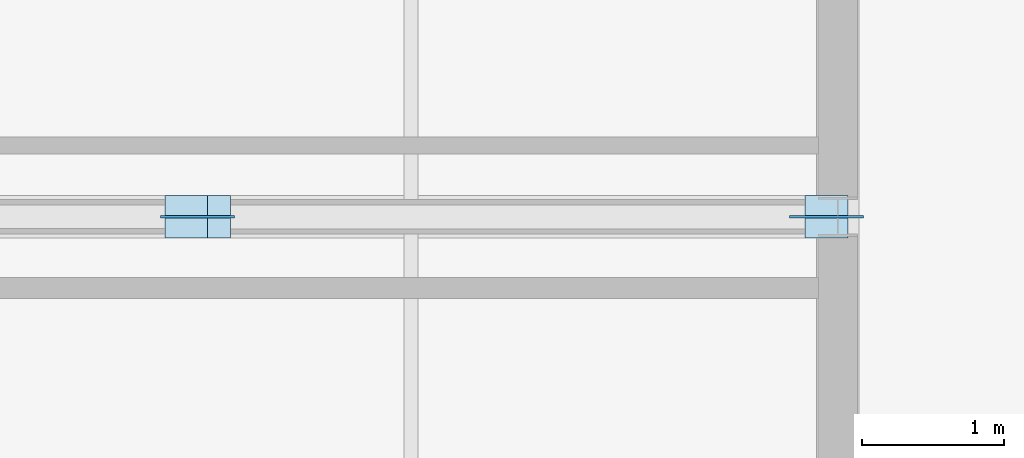
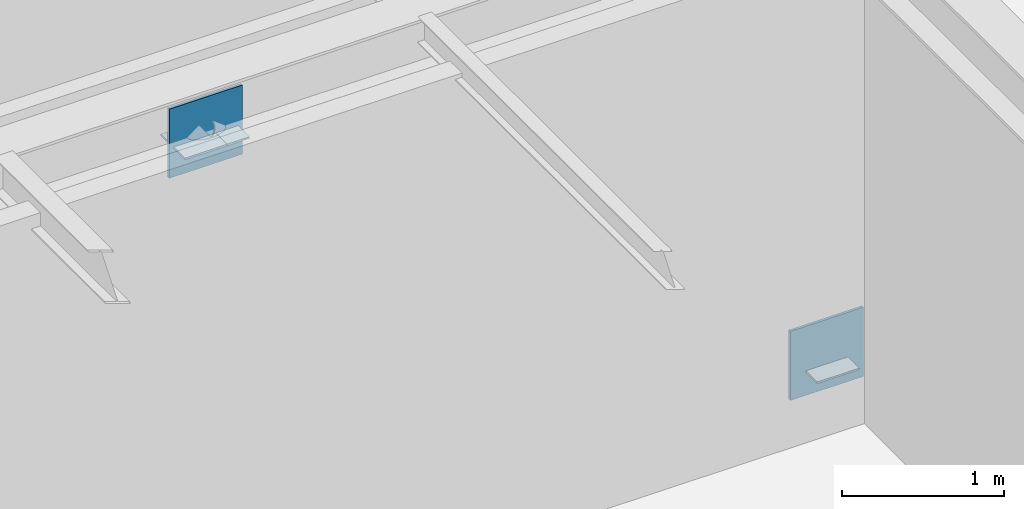
# One storey, part 10 of 17: 5 plates.
"""IFC4 building model written with IfcOpenShell, lengths in metres."""

from ifc_helpers import new_model, si_unit, direction, frame, origin, origin_2d, place, context, subcontext, project, spatial, rectangle, extrude, material, layer, layer_set, type_object, element, save


model = new_model("IFC4")

# Units and contexts
model_context = context("Model", 3, precision=1e-05, world=origin(), true_north=direction((0.0, 1.0)))
body_context = subcontext(model_context, "Body", "Model", "MODEL_VIEW")
ifc_project = project(units=[si_unit("LENGTHUNIT", "METRE"), si_unit("AREAUNIT", "SQUARE_METRE"), si_unit("VOLUMEUNIT", "CUBIC_METRE"), si_unit("PLANEANGLEUNIT", "RADIAN"), si_unit("MASSUNIT", "GRAM", prefix="KILO")], contexts=[model_context])

# Site, building, storey
site_placement = place(None, origin())
site = spatial("IfcSite", under=ifc_project, at=site_placement, CompositionType="ELEMENT")
building_placement = place(site_placement, origin())
building = spatial("IfcBuilding", under=site, at=building_placement, Name="Montelvaro Courts of Justice", CompositionType="ELEMENT")
storey_placement = place(building_placement, frame((0.0, 0.0, 27.39990234375)))
storey = spatial("IfcBuildingStorey", under=building, at=storey_placement, Name="L06", CompositionType="ELEMENT", Elevation=27.39990234375)

# Plates
ifc_material = material(Name="Steel S355", Category="steel")
ifc_layer_1 = layer(ifc_material, 0.011962890625)
ifc_layer_set_1 = layer_set([ifc_layer_1], Name="Steel S355")
plate_type_1 = type_object("IfcPlateType", Name="EndCapPlate_12", PredefinedType="USERDEFINED", material=ifc_layer_set_1)
for number, where, z_axis, x_axis, name in (
    (1, (121.419921875, 12.0, 3.333984375), (0.0, 0.0, 1.0), (1.0, 0.0, 0.0), "Brace End Cap Plate CP-01 CBF2-L06-1B"),
    (2, (125.919921875, 12.0, 0.07421875), (0.0, 0.0, 1.0), (1.0, 0.0, 0.0), "Brace End Cap Plate CP-01 CBF2-L06-2A"),
    (3, (121.580078125, 12.0, 3.333984375), (0.0, 0.0, 1.0), (1.0, 0.0, 0.0), "Brace End Cap Plate CP-01 CBF2-L06-2B"),
):
    element("IfcPlate", number, at=place(storey_placement, frame(where, z_axis=z_axis, x_axis=x_axis)), inside=storey, type_object=plate_type_1, Name=name, ObjectType="GUSSET PLATE", PredefinedType="USERDEFINED", context=body_context, shape_type="SweptSolid", body=[
        extrude(rectangle(XDim=0.300048828125, YDim=0.300048828125, at=origin_2d()), origin(), (0.0, 0.0, 1.0), 0.011962890625),
    ])
ifc_layer_2 = layer(ifc_material, 0.02001953125)
ifc_layer_set_2 = layer_set([ifc_layer_2], Name="Steel S355")
plate_type_2 = type_object("IfcPlateType", Name="GussetPlate_20", PredefinedType="USERDEFINED", material=ifc_layer_set_2)
for number, where, z_axis, x_axis, name in (
    (4, (125.919921875, 12.0, -0.099853515625), (0.0, 0.0, 1.0), (1.0, 0.0, 0.0), "Chevron Brace Base Gusset Plate GP-01 CBF2-L06-B2"),
    (5, (121.5, 12.0, 3.1201171875), (0.0, 0.0, 1.0), (1.0, 0.0, 0.0), "Chevron Brace Gusset Plate GP-01 CBF2-L06"),
):
    element("IfcPlate", number, at=place(storey_placement, frame(where, z_axis=z_axis, x_axis=x_axis)), inside=storey, type_object=plate_type_2, Name=name, ObjectType="GUSSET PLATE", PredefinedType="USERDEFINED", context=body_context, shape_type="SweptSolid", body=[
        extrude(rectangle(XDim=0.52001953125, YDim=0.02001953125, at=origin_2d()), origin(), (0.0, 0.0, 1.0), 0.52001953125),
    ])

save(model, "model.ifc")
